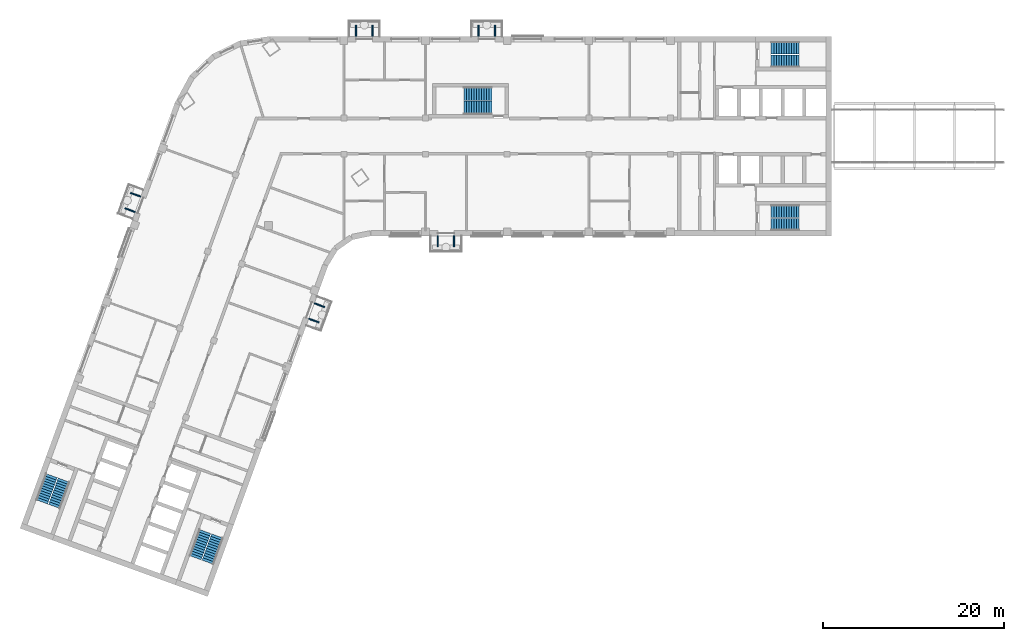
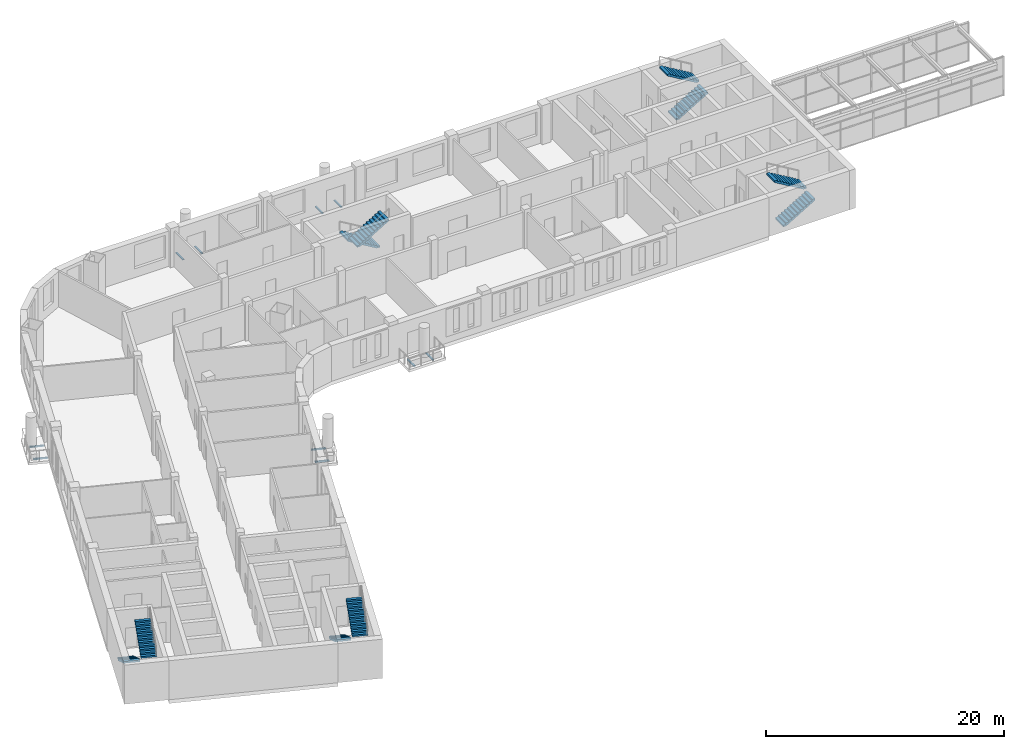
# One storey, part 9 of 12: 10 discrete accessories, 10 stair flights, 5 elements without a shape of their own.
"""IFC4 building model written with IfcOpenShell, lengths in metres."""

from ifc_helpers import new_model, si_unit, direction, frame, origin, origin_2d, place, context, subcontext, project, spatial, polyline, rectangle, outline, extrude, material, type_object, element, aggregate, save


model = new_model("IFC4")

# Units and contexts
model_context = context("Model", 3, precision=1e-05, world=origin(), true_north=direction((0.0, 1.0)))
body_context = subcontext(model_context, "Body", "Model", "MODEL_VIEW")
ifc_project = project(units=[si_unit("LENGTHUNIT", "METRE"), si_unit("AREAUNIT", "SQUARE_METRE"), si_unit("VOLUMEUNIT", "CUBIC_METRE"), si_unit("PLANEANGLEUNIT", "RADIAN"), si_unit("MASSUNIT", "GRAM", prefix="KILO")], contexts=[model_context])

# Site, building, storey
site_placement = place(None, origin())
site = spatial("IfcSite", under=ifc_project, at=site_placement, CompositionType="ELEMENT")
building_placement = place(site_placement, origin())
building = spatial("IfcBuilding", under=site, at=building_placement, Name="Skarvind Civic Tower", CompositionType="ELEMENT")
storey_placement = place(building_placement, frame((0.0, 0.0, 117.0)))
storey = spatial("IfcBuildingStorey", under=building, at=storey_placement, Name="L27", CompositionType="ELEMENT", Elevation=117.0)

# Stair, stair flights
ifc_material = material(Name="Concrete C40/50", Category="concrete")
stair_type_1 = type_object("IfcStairType", Name="Exit stair 1450, half-turn, concrete", PredefinedType="HALF_TURN_STAIR", material=ifc_material)
stair_1_placement = place(storey_placement, origin())
stair_1 = element("IfcStair", 1, at=stair_1_placement, inside=storey, type_object=stair_type_1, Name="Exit stair CM", PredefinedType="HALF_TURN_STAIR")
stair_flight_type_1 = type_object("IfcStairFlightType", Name="Stair flight 1450, concrete", PredefinedType="STRAIGHT", material=ifc_material)
stair_flight_1_placement = place(storey_placement, frame((70.550048828125, 132.675048828125, 0.0), z_axis=(0.0, 0.0, 1.0), x_axis=(-1.0, 0.0, 0.0)))
stair_flight_1 = element("IfcStairFlight", 2, at=stair_flight_1_placement, type_object=stair_flight_type_1, Name="ST-CM flight 1", NumberOfRisers=12, NumberOfTreads=11, PredefinedType="STRAIGHT", RiserHeight=0.166666667, TreadLength=0.28, context=body_context, shape_type="SweptSolid", body=[
    extrude(outline(polyline([(0.0, 0.0), (0.0, 0.166748046875), (0.280029296875, 0.166748046875), (0.280029296875, 0.333251953125), (0.56005859375, 0.333251953125), (0.56005859375, 0.5), (0.840087890625, 0.5), (0.840087890625, 0.666748046875), (1.1201171875, 0.666748046875), (1.1201171875, 0.833251953125), (1.39990234375, 0.833251953125), (1.39990234375, 1.0), (1.679931640625, 1.0), (1.679931640625, 1.166748046875), (1.9599609375, 1.166748046875), (1.9599609375, 1.333251953125), (2.239990234375, 1.333251953125), (2.239990234375, 1.5), (2.52001953125, 1.5), (2.52001953125, 1.666748046875), (2.800048828125, 1.666748046875), (2.800048828125, 1.833251953125), (3.080078125, 1.833251953125), (3.080078125, 2.0), (3.080078125, 1.658935546875), (0.29296875, 0.0), (0.0, 0.0)])), frame((0.0, 0.72509765625, 0.0), z_axis=(0.0, -1.0, 0.0), x_axis=(1.0, 0.0, 0.0)), (0.0, 0.0, 1.0), 1.449951171875),
])
stair_flight_2_placement = place(storey_placement, frame((67.469970703125, 131.125, 2.0), z_axis=(0.0, 0.0, 1.0), x_axis=(1.0, 0.0, 0.0)))
stair_flight_2 = element("IfcStairFlight", 3, at=stair_flight_2_placement, type_object=stair_flight_type_1, Name="ST-CM flight 2", NumberOfRisers=12, NumberOfTreads=11, PredefinedType="STRAIGHT", RiserHeight=0.166666667, TreadLength=0.28, context=body_context, shape_type="SweptSolid", body=[
    extrude(outline(polyline([(0.0, 0.0), (0.0, 0.166748046875), (0.280029296875, 0.166748046875), (0.280029296875, 0.333251953125), (0.56005859375, 0.333251953125), (0.56005859375, 0.5), (0.840087890625, 0.5), (0.840087890625, 0.666748046875), (1.1201171875, 0.666748046875), (1.1201171875, 0.833251953125), (1.39990234375, 0.833251953125), (1.39990234375, 1.0), (1.679931640625, 1.0), (1.679931640625, 1.166748046875), (1.9599609375, 1.166748046875), (1.9599609375, 1.333251953125), (2.239990234375, 1.333251953125), (2.239990234375, 1.5), (2.52001953125, 1.5), (2.52001953125, 1.666748046875), (2.800048828125, 1.666748046875), (2.800048828125, 1.833251953125), (3.080078125, 1.833251953125), (3.080078125, 2.0), (3.080078125, 1.658935546875), (0.29296875, 0.0), (0.0, 0.0)])), frame((0.0, 0.72509765625, 0.0), z_axis=(0.0, -1.0, 0.0), x_axis=(1.0, 0.0, 0.0)), (0.0, 0.0, 1.0), 1.449951171875),
])
aggregate(stair_1, [stair_flight_1, stair_flight_2])

stair_type_2 = type_object("IfcStairType", Name="Exit stair, half-turn, concrete", PredefinedType="HALF_TURN_STAIR", material=ifc_material)
stair_2_placement = place(storey_placement, origin())
stair_2 = element("IfcStair", 4, at=stair_2_placement, inside=storey, type_object=stair_type_2, Name="Exit stair C1S", PredefinedType="HALF_TURN_STAIR")
stair_flight_type_2 = type_object("IfcStairFlightType", Name="Stair flight, concrete", PredefinedType="STRAIGHT", material=ifc_material)
stair_flight_3_placement = place(storey_placement, frame((101.35009765625, 136.27490234375, 0.0), z_axis=(0.0, 0.0, 1.0), x_axis=(1.0, 0.0, 0.0)))
stair_flight_3 = element("IfcStairFlight", 5, at=stair_flight_3_placement, type_object=stair_flight_type_2, Name="ST-C1S flight 1", NumberOfRisers=12, NumberOfTreads=11, PredefinedType="STRAIGHT", RiserHeight=0.166666667, TreadLength=0.28, context=body_context, shape_type="SweptSolid", body=[
    extrude(outline(polyline([(0.0, 0.0), (0.0, 0.166748046875), (0.280029296875, 0.166748046875), (0.280029296875, 0.333251953125), (0.56005859375, 0.333251953125), (0.56005859375, 0.5), (0.840087890625, 0.5), (0.840087890625, 0.666748046875), (1.1201171875, 0.666748046875), (1.1201171875, 0.833251953125), (1.39990234375, 0.833251953125), (1.39990234375, 1.0), (1.679931640625, 1.0), (1.679931640625, 1.166748046875), (1.9599609375, 1.166748046875), (1.9599609375, 1.333251953125), (2.239990234375, 1.333251953125), (2.239990234375, 1.5), (2.52001953125, 1.5), (2.52001953125, 1.666748046875), (2.800048828125, 1.666748046875), (2.800048828125, 1.833251953125), (3.080078125, 1.833251953125), (3.080078125, 2.0), (3.080078125, 1.658935546875), (0.29296875, 0.0), (0.0, 0.0)])), frame((0.0, 0.675048828125, 0.0), z_axis=(0.0, -1.0, 0.0), x_axis=(1.0, 0.0, 0.0)), (0.0, 0.0, 1.0), 1.35009765625),
])
stair_flight_4_placement = place(storey_placement, frame((104.429931640625, 137.72509765625, 2.0), z_axis=(0.0, 0.0, 1.0), x_axis=(-1.0, 0.0, 0.0)))
stair_flight_4 = element("IfcStairFlight", 6, at=stair_flight_4_placement, type_object=stair_flight_type_2, Name="ST-C1S flight 2", NumberOfRisers=12, NumberOfTreads=11, PredefinedType="STRAIGHT", RiserHeight=0.166666667, TreadLength=0.28, context=body_context, shape_type="SweptSolid", body=[
    extrude(outline(polyline([(0.0, 0.0), (0.0, 0.166748046875), (0.280029296875, 0.166748046875), (0.280029296875, 0.333251953125), (0.56005859375, 0.333251953125), (0.56005859375, 0.5), (0.840087890625, 0.5), (0.840087890625, 0.666748046875), (1.1201171875, 0.666748046875), (1.1201171875, 0.833251953125), (1.39990234375, 0.833251953125), (1.39990234375, 1.0), (1.679931640625, 1.0), (1.679931640625, 1.166748046875), (1.9599609375, 1.166748046875), (1.9599609375, 1.333251953125), (2.239990234375, 1.333251953125), (2.239990234375, 1.5), (2.52001953125, 1.5), (2.52001953125, 1.666748046875), (2.800048828125, 1.666748046875), (2.800048828125, 1.833251953125), (3.080078125, 1.833251953125), (3.080078125, 2.0), (3.080078125, 1.658935546875), (0.29296875, 0.0), (0.0, 0.0)])), frame((0.0, 0.675048828125, 0.0), z_axis=(0.0, -1.0, 0.0), x_axis=(1.0, 0.0, 0.0)), (0.0, 0.0, 1.0), 1.35009765625),
])
aggregate(stair_2, [stair_flight_3, stair_flight_4])

stair_3_placement = place(storey_placement, origin())
stair_3 = element("IfcStair", 7, at=stair_3_placement, inside=storey, type_object=stair_type_2, Name="Exit stair C1N", PredefinedType="HALF_TURN_STAIR")
stair_flight_5_placement = place(storey_placement, frame((101.35009765625, 118.27490234375, 0.0), z_axis=(0.0, 0.0, 1.0), x_axis=(1.0, 0.0, 0.0)))
stair_flight_5 = element("IfcStairFlight", 8, at=stair_flight_5_placement, type_object=stair_flight_type_2, Name="ST-C1N flight 1", NumberOfRisers=12, NumberOfTreads=11, PredefinedType="STRAIGHT", RiserHeight=0.166666667, TreadLength=0.28, context=body_context, shape_type="SweptSolid", body=[
    extrude(outline(polyline([(0.0, 0.0), (0.0, 0.166748046875), (0.280029296875, 0.166748046875), (0.280029296875, 0.333251953125), (0.56005859375, 0.333251953125), (0.56005859375, 0.5), (0.840087890625, 0.5), (0.840087890625, 0.666748046875), (1.1201171875, 0.666748046875), (1.1201171875, 0.833251953125), (1.39990234375, 0.833251953125), (1.39990234375, 1.0), (1.679931640625, 1.0), (1.679931640625, 1.166748046875), (1.9599609375, 1.166748046875), (1.9599609375, 1.333251953125), (2.239990234375, 1.333251953125), (2.239990234375, 1.5), (2.52001953125, 1.5), (2.52001953125, 1.666748046875), (2.800048828125, 1.666748046875), (2.800048828125, 1.833251953125), (3.080078125, 1.833251953125), (3.080078125, 2.0), (3.080078125, 1.658935546875), (0.29296875, 0.0), (0.0, 0.0)])), frame((0.0, 0.675048828125, 0.0), z_axis=(0.0, -1.0, 0.0), x_axis=(1.0, 0.0, 0.0)), (0.0, 0.0, 1.0), 1.35009765625),
])
stair_flight_6_placement = place(storey_placement, frame((104.429931640625, 119.72509765625, 2.0), z_axis=(0.0, 0.0, 1.0), x_axis=(-1.0, 0.0, 0.0)))
stair_flight_6 = element("IfcStairFlight", 9, at=stair_flight_6_placement, type_object=stair_flight_type_2, Name="ST-C1N flight 2", NumberOfRisers=12, NumberOfTreads=11, PredefinedType="STRAIGHT", RiserHeight=0.166666667, TreadLength=0.28, context=body_context, shape_type="SweptSolid", body=[
    extrude(outline(polyline([(0.0, 0.0), (0.0, 0.166748046875), (0.280029296875, 0.166748046875), (0.280029296875, 0.333251953125), (0.56005859375, 0.333251953125), (0.56005859375, 0.5), (0.840087890625, 0.5), (0.840087890625, 0.666748046875), (1.1201171875, 0.666748046875), (1.1201171875, 0.833251953125), (1.39990234375, 0.833251953125), (1.39990234375, 1.0), (1.679931640625, 1.0), (1.679931640625, 1.166748046875), (1.9599609375, 1.166748046875), (1.9599609375, 1.333251953125), (2.239990234375, 1.333251953125), (2.239990234375, 1.5), (2.52001953125, 1.5), (2.52001953125, 1.666748046875), (2.800048828125, 1.666748046875), (2.800048828125, 1.833251953125), (3.080078125, 1.833251953125), (3.080078125, 2.0), (3.080078125, 1.658935546875), (0.29296875, 0.0), (0.0, 0.0)])), frame((0.0, 0.675048828125, 0.0), z_axis=(0.0, -1.0, 0.0), x_axis=(1.0, 0.0, 0.0)), (0.0, 0.0, 1.0), 1.35009765625),
])
aggregate(stair_3, [stair_flight_5, stair_flight_6])

stair_4_placement = place(storey_placement, origin())
stair_4 = element("IfcStair", 10, at=stair_4_placement, inside=storey, type_object=stair_type_2, Name="Exit stair C2S", PredefinedType="HALF_TURN_STAIR")
stair_flight_7_placement = place(storey_placement, frame((38.949462890625, 84.43408203125, 0.0), z_axis=(0.0, 0.0, 1.0), x_axis=(-0.342020143326, -0.939692620786, 0.0)))
stair_flight_7 = element("IfcStairFlight", 11, at=stair_flight_7_placement, type_object=stair_flight_type_2, Name="ST-C2S flight 1", NumberOfRisers=12, NumberOfTreads=11, PredefinedType="STRAIGHT", RiserHeight=0.166666667, TreadLength=0.28, context=body_context, shape_type="SweptSolid", body=[
    extrude(outline(polyline([(0.0, 0.0), (0.0, 0.166748046875), (0.280029296875, 0.166748046875), (0.280029296875, 0.333251953125), (0.56005859375, 0.333251953125), (0.56005859375, 0.5), (0.840087890625, 0.5), (0.840087890625, 0.666748046875), (1.1201171875, 0.666748046875), (1.1201171875, 0.833251953125), (1.39990234375, 0.833251953125), (1.39990234375, 1.0), (1.679931640625, 1.0), (1.679931640625, 1.166748046875), (1.9599609375, 1.166748046875), (1.9599609375, 1.333251953125), (2.239990234375, 1.333251953125), (2.239990234375, 1.5), (2.52001953125, 1.5), (2.52001953125, 1.666748046875), (2.800048828125, 1.666748046875), (2.800048828125, 1.833251953125), (3.080078125, 1.833251953125), (3.080078125, 2.0), (3.080078125, 1.658935546875), (0.29296875, 0.0), (0.0, 0.0)])), frame((0.0, 0.675048828125, 0.0), z_axis=(0.0, -1.0, 0.0), x_axis=(1.0, 0.0, 0.0)), (0.0, 0.0, 1.0), 1.35009765625),
])
stair_flight_8_placement = place(storey_placement, frame((39.258544921875, 81.0439453125, 2.0), z_axis=(0.0, 0.0, 1.0), x_axis=(0.342020143326, 0.939692620786, 0.0)))
stair_flight_8 = element("IfcStairFlight", 12, at=stair_flight_8_placement, type_object=stair_flight_type_2, Name="ST-C2S flight 2", NumberOfRisers=12, NumberOfTreads=11, PredefinedType="STRAIGHT", RiserHeight=0.166666667, TreadLength=0.28, context=body_context, shape_type="SweptSolid", body=[
    extrude(outline(polyline([(0.0, 0.0), (0.0, 0.166748046875), (0.280029296875, 0.166748046875), (0.280029296875, 0.333251953125), (0.56005859375, 0.333251953125), (0.56005859375, 0.5), (0.840087890625, 0.5), (0.840087890625, 0.666748046875), (1.1201171875, 0.666748046875), (1.1201171875, 0.833251953125), (1.39990234375, 0.833251953125), (1.39990234375, 1.0), (1.679931640625, 1.0), (1.679931640625, 1.166748046875), (1.9599609375, 1.166748046875), (1.9599609375, 1.333251953125), (2.239990234375, 1.333251953125), (2.239990234375, 1.5), (2.52001953125, 1.5), (2.52001953125, 1.666748046875), (2.800048828125, 1.666748046875), (2.800048828125, 1.833251953125), (3.080078125, 1.833251953125), (3.080078125, 2.0), (3.080078125, 1.658935546875), (0.29296875, 0.0), (0.0, 0.0)])), frame((0.0, 0.675048828125, 0.0), z_axis=(0.0, -1.0, 0.0), x_axis=(1.0, 0.0, 0.0)), (0.0, 0.0, 1.0), 1.35009765625),
])
aggregate(stair_4, [stair_flight_7, stair_flight_8])

stair_5_placement = place(storey_placement, origin())
stair_5 = element("IfcStair", 13, at=stair_5_placement, inside=storey, type_object=stair_type_2, Name="Exit stair C2N", PredefinedType="HALF_TURN_STAIR")
stair_flight_9_placement = place(storey_placement, frame((22.034912109375, 90.590576171875, 0.0), z_axis=(0.0, 0.0, 1.0), x_axis=(-0.342020143326, -0.939692620786, 0.0)))
stair_flight_9 = element("IfcStairFlight", 14, at=stair_flight_9_placement, type_object=stair_flight_type_2, Name="ST-C2N flight 1", NumberOfRisers=12, NumberOfTreads=11, PredefinedType="STRAIGHT", RiserHeight=0.166666667, TreadLength=0.28, context=body_context, shape_type="SweptSolid", body=[
    extrude(outline(polyline([(0.0, 0.0), (0.0, 0.166748046875), (0.280029296875, 0.166748046875), (0.280029296875, 0.333251953125), (0.56005859375, 0.333251953125), (0.56005859375, 0.5), (0.840087890625, 0.5), (0.840087890625, 0.666748046875), (1.1201171875, 0.666748046875), (1.1201171875, 0.833251953125), (1.39990234375, 0.833251953125), (1.39990234375, 1.0), (1.679931640625, 1.0), (1.679931640625, 1.166748046875), (1.9599609375, 1.166748046875), (1.9599609375, 1.333251953125), (2.239990234375, 1.333251953125), (2.239990234375, 1.5), (2.52001953125, 1.5), (2.52001953125, 1.666748046875), (2.800048828125, 1.666748046875), (2.800048828125, 1.833251953125), (3.080078125, 1.833251953125), (3.080078125, 2.0), (3.080078125, 1.658935546875), (0.29296875, 0.0), (0.0, 0.0)])), frame((0.0, 0.675048828125, 0.0), z_axis=(0.0, -1.0, 0.0), x_axis=(1.0, 0.0, 0.0)), (0.0, 0.0, 1.0), 1.35009765625),
])
stair_flight_10_placement = place(storey_placement, frame((22.343994140625, 87.2001953125, 2.0), z_axis=(0.0, 0.0, 1.0), x_axis=(0.342020143326, 0.939692620786, 0.0)))
stair_flight_10 = element("IfcStairFlight", 15, at=stair_flight_10_placement, type_object=stair_flight_type_2, Name="ST-C2N flight 2", NumberOfRisers=12, NumberOfTreads=11, PredefinedType="STRAIGHT", RiserHeight=0.166666667, TreadLength=0.28, context=body_context, shape_type="SweptSolid", body=[
    extrude(outline(polyline([(0.0, 0.0), (0.0, 0.166748046875), (0.280029296875, 0.166748046875), (0.280029296875, 0.333251953125), (0.56005859375, 0.333251953125), (0.56005859375, 0.5), (0.840087890625, 0.5), (0.840087890625, 0.666748046875), (1.1201171875, 0.666748046875), (1.1201171875, 0.833251953125), (1.39990234375, 0.833251953125), (1.39990234375, 1.0), (1.679931640625, 1.0), (1.679931640625, 1.166748046875), (1.9599609375, 1.166748046875), (1.9599609375, 1.333251953125), (2.239990234375, 1.333251953125), (2.239990234375, 1.5), (2.52001953125, 1.5), (2.52001953125, 1.666748046875), (2.800048828125, 1.666748046875), (2.800048828125, 1.833251953125), (3.080078125, 1.833251953125), (3.080078125, 2.0), (3.080078125, 1.658935546875), (0.29296875, 0.0), (0.0, 0.0)])), frame((0.0, 0.675048828125, 0.0), z_axis=(0.0, -1.0, 0.0), x_axis=(1.0, 0.0, 0.0)), (0.0, 0.0, 1.0), 1.35009765625),
])
aggregate(stair_5, [stair_flight_9, stair_flight_10])

# Discrete accessories
for number, where, z_axis, x_axis, name in (
    (16, (51.56494140625, 109.373291015625, -0.35009765625), (0.0, 0.0, 1.0), (-0.342020143326, -0.939692620786, 0.0), "TREE BALCONY BRACKET"),
    (17, (50.94921875, 107.681884765625, -0.35009765625), (0.0, 0.0, 1.0), (-0.342020143326, -0.939692620786, 0.0), "TREE BALCONY BRACKET"),
    (18, (66.39990234375, 116.39990234375, -0.35009765625), (0.0, 0.0, 1.0), (-1.0, 0.0, 0.0), "TREE BALCONY BRACKET"),
    (19, (64.60009765625, 116.39990234375, -0.35009765625), (0.0, 0.0, 1.0), (-1.0, 0.0, 0.0), "TREE BALCONY BRACKET"),
    (20, (55.60009765625, 139.60009765625, -0.35009765625), (0.0, 0.0, 1.0), (1.0, 0.0, 0.0), "TREE BALCONY BRACKET"),
    (21, (57.39990234375, 139.60009765625, -0.35009765625), (0.0, 0.0, 1.0), (1.0, 0.0, 0.0), "TREE BALCONY BRACKET"),
    (22, (69.10009765625, 139.60009765625, -0.35009765625), (0.0, 0.0, 1.0), (1.0, 0.0, 0.0), "TREE BALCONY BRACKET"),
    (23, (70.89990234375, 139.60009765625, -0.35009765625), (0.0, 0.0, 1.0), (1.0, 0.0, 0.0), "TREE BALCONY BRACKET"),
    (24, (30.6875, 119.845458984375, -0.35009765625), (0.0, 0.0, 1.0), (0.342020143326, 0.939692620786, 0.0), "TREE BALCONY BRACKET"),
    (25, (31.30322265625, 121.536865234375, -0.35009765625), (0.0, 0.0, 1.0), (0.342020143326, 0.939692620786, 0.0), "TREE BALCONY BRACKET"),
):
    element("IfcDiscreteAccessory", number, at=place(storey_placement, frame(where, z_axis=z_axis, x_axis=x_axis)), inside=storey, Name=name, PredefinedType="BRACKET", context=body_context, shape_type="SweptSolid", body=[
        extrude(rectangle(XDim=0.14990234375, YDim=1.199951171875, at=origin_2d()), origin(), (0.0, 0.0, 1.0), 0.10009765625),
    ])

save(model, "model.ifc")
